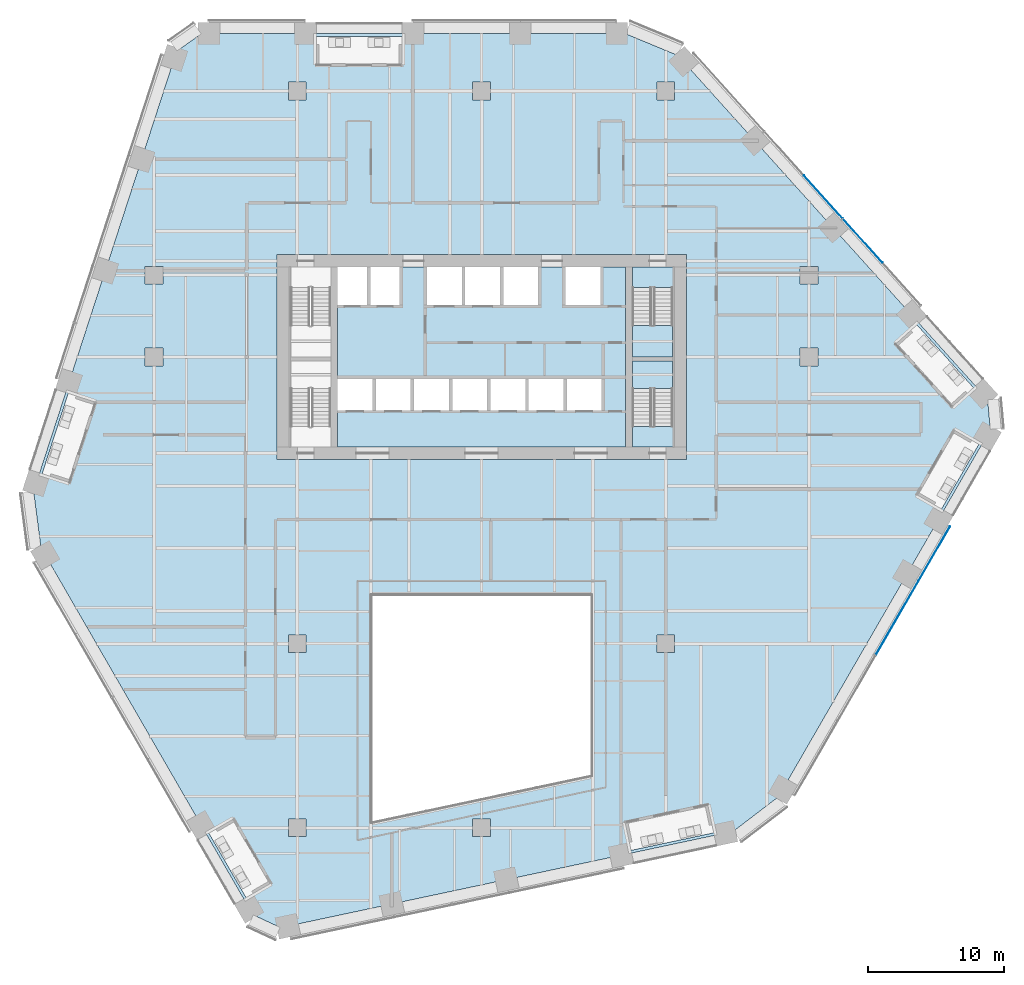
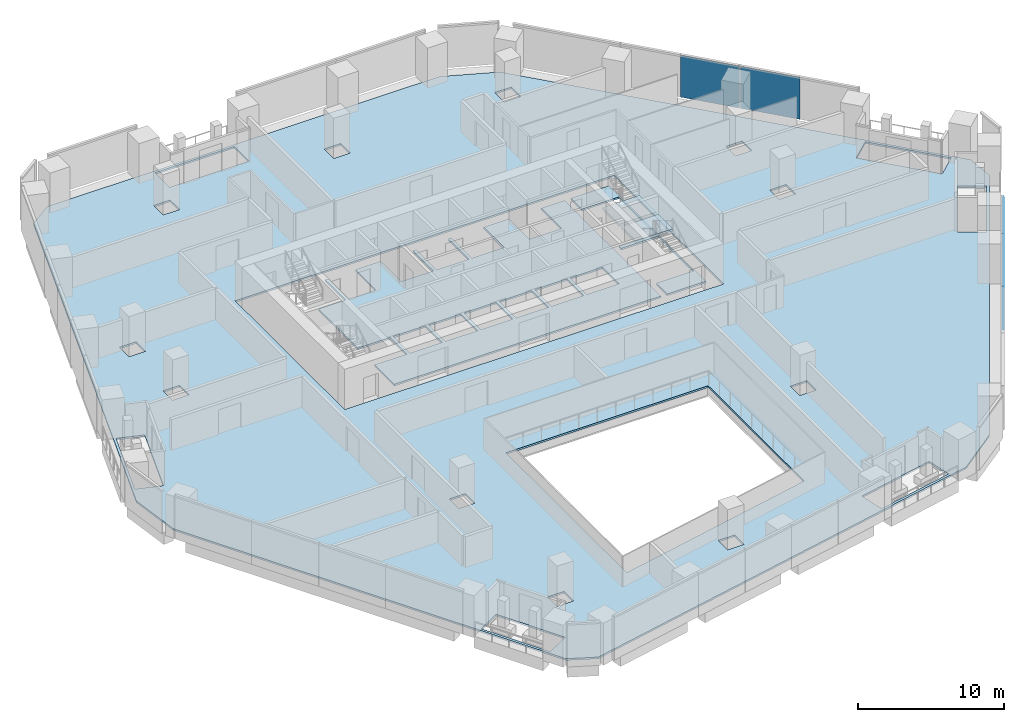
# One storey, part 20 of 31: 5 slabs, 4 plates, 4 elements without a shape of their own.
"""IFC4 building model written with IfcOpenShell, lengths in metres."""

from ifc_helpers import new_model, si_unit, direction, frame, origin, origin_2d, place, context, subcontext, project, spatial, polyline, rectangle, outline, extrude, material, layer, layer_set, type_object, element, aggregate, save


model = new_model("IFC4")

# Units and contexts
model_context = context("Model", 3, precision=1e-05, world=origin(), true_north=direction((0.0, 1.0)))
body_context = subcontext(model_context, "Body", "Model", "MODEL_VIEW")
ifc_project = project(units=[si_unit("LENGTHUNIT", "METRE"), si_unit("AREAUNIT", "SQUARE_METRE"), si_unit("VOLUMEUNIT", "CUBIC_METRE"), si_unit("PLANEANGLEUNIT", "RADIAN"), si_unit("MASSUNIT", "GRAM", prefix="KILO")], contexts=[model_context])

# Site, building, storey
site_placement = place(None, origin())
site = spatial("IfcSite", under=ifc_project, at=site_placement, CompositionType="ELEMENT")
building_placement = place(site_placement, origin())
building = spatial("IfcBuilding", under=site, at=building_placement, Name="Isthmus Gate Tower", CompositionType="ELEMENT")
storey_placement = place(building_placement, frame((0.0, 0.0, 113.5)))
storey = spatial("IfcBuildingStorey", under=building, at=storey_placement, Name="L27", CompositionType="ELEMENT", Elevation=113.5)

# Slabs
ifc_material_1 = material(Name="Concrete f'c 40 MPa", Category="concrete")
ifc_layer_1 = layer(ifc_material_1, 0.14990234375)
ifc_layer_set_1 = layer_set([ifc_layer_1], Name="COMPOSITE FLOOR SLAB 150")
slab_type_1 = type_object("IfcSlabType", Name="COMPOSITE FLOOR SLAB 150", PredefinedType="FLOOR", material=ifc_layer_set_1)
slab_1_placement = place(storey_placement, frame((0.0, 0.0, -0.14990234375)))
element("IfcSlab", 1, at=slab_1_placement, inside=storey, type_object=slab_type_1, Name="str-slab-L27-1", PredefinedType="FLOOR", context=body_context, shape_type="SweptSolid", body=[
    extrude(outline(polyline([(14.391357421875, 29.599365234375), (37.081787109375, 4.399169921875), (37.281494140625, 2.17333984375), (21.748779296875, -24.729736328125), (18.438232421875, -27.262939453125), (-14.73095703125, -34.313232421875), (-16.758544921875, -33.373291015625), (-32.291015625, -6.47021484375), (-32.82958984375, -2.33642578125), (-22.3505859375, 29.9140625), (-20.52294921875, 31.199951171875), (10.542236328125, 31.199951171875), (14.391357421875, 29.599365234375)]), holes=[polyline([(-17.2587890625, -32.107177734375), (-15.526611328125, -31.107177734375), (-18.248291015625, -26.392822265625), (-19.98046875, -27.392822265625), (-17.2587890625, -32.107177734375)]), polyline([(-14.14990234375, -26.35009765625), (-14.14990234375, -27.64990234375), (-12.85009765625, -27.64990234375), (-12.85009765625, -26.35009765625), (-14.14990234375, -26.35009765625)]), polyline([(-0.64990234375, -26.35009765625), (-0.64990234375, -27.64990234375), (0.64990234375, -27.64990234375), (0.64990234375, -26.35009765625), (-0.64990234375, -26.35009765625)]), polyline([(8.0, -23.143310546875), (8.0, -10.0), (-8.0, -10.0), (-8.0, -26.544189453125), (8.0, -23.143310546875)]), polyline([(-14.14990234375, -12.85009765625), (-14.14990234375, -14.14990234375), (-12.85009765625, -14.14990234375), (-12.85009765625, -12.85009765625), (-14.14990234375, -12.85009765625)]), polyline([(-32.20068359375, -1.048095703125), (-30.298583984375, -1.666259765625), (-28.385986328125, 4.22021484375), (-30.2880859375, 4.838134765625), (-32.20068359375, -1.048095703125)]), polyline([(-23.35009765625, 8.14990234375), (-24.64990234375, 8.14990234375), (-24.64990234375, 6.85009765625), (-23.35009765625, 6.85009765625), (-23.35009765625, 8.14990234375)]), polyline([(-23.35009765625, 12.85009765625), (-23.35009765625, 14.14990234375), (-24.64990234375, 14.14990234375), (-24.64990234375, 12.85009765625), (-23.35009765625, 12.85009765625)]), polyline([(-12.85009765625, 27.64990234375), (-14.14990234375, 27.64990234375), (-14.14990234375, 26.35009765625), (-12.85009765625, 26.35009765625), (-12.85009765625, 27.64990234375)]), polyline([(-12.106689453125, 31.0), (-12.106689453125, 29.0), (-5.837158203125, 29.0), (-5.837158203125, 31.0), (-12.106689453125, 31.0)]), polyline([(17.008056640625, -27.362548828125), (16.59228515625, -25.40625), (10.5380859375, -26.693115234375), (10.9541015625, -28.6494140625), (17.008056640625, -27.362548828125)]), polyline([(14.14990234375, -12.85009765625), (12.85009765625, -12.85009765625), (12.85009765625, -14.14990234375), (14.14990234375, -14.14990234375), (14.14990234375, -12.85009765625)]), polyline([(33.7001953125, -3.629638671875), (36.434814453125, 1.107177734375), (34.702880859375, 2.107177734375), (31.968017578125, -2.629638671875), (33.7001953125, -3.629638671875)]), polyline([(36.041015625, 5.256103515625), (31.8994140625, 9.855712890625), (30.4130859375, 8.517578125), (34.5546875, 3.91796875), (36.041015625, 5.256103515625)]), polyline([(15.0, 15.0), (-15.0, 15.0), (-15.0, 0.0), (15.0, 0.0), (15.0, 15.0)]), polyline([(24.64990234375, 8.14990234375), (23.35009765625, 8.14990234375), (23.35009765625, 6.85009765625), (24.64990234375, 6.85009765625), (24.64990234375, 8.14990234375)]), polyline([(23.35009765625, 14.14990234375), (23.35009765625, 12.85009765625), (24.64990234375, 12.85009765625), (24.64990234375, 14.14990234375), (23.35009765625, 14.14990234375)]), polyline([(0.64990234375, 26.35009765625), (0.64990234375, 27.64990234375), (-0.64990234375, 27.64990234375), (-0.64990234375, 26.35009765625), (0.64990234375, 26.35009765625)]), polyline([(14.14990234375, 26.35009765625), (14.14990234375, 27.64990234375), (12.85009765625, 27.64990234375), (12.85009765625, 26.35009765625), (14.14990234375, 26.35009765625)])]), origin(), (0.0, 0.0, 1.0), 0.14990234375),
])
ifc_material_2 = material(Name="Concrete f'c 40 MPa", Category="concrete")
ifc_layer_2 = layer(ifc_material_2, 0.14990234375)
ifc_layer_set_2 = layer_set([ifc_layer_2], Name="CORE FLOOR SLAB 150")
slab_type_2 = type_object("IfcSlabType", Name="CORE FLOOR SLAB 150", PredefinedType="FLOOR", material=ifc_layer_set_2)
slab_2_placement = place(storey_placement, frame((0.0, 0.0, -0.14990234375)))
element("IfcSlab", 2, at=slab_2_placement, inside=storey, type_object=slab_type_2, Name="L27 core floor", PredefinedType="FLOOR", context=body_context, shape_type="SweptSolid", body=[
    extrude(outline(polyline([(10.550048828125, 14.10009765625), (8.699951171875, 14.10009765625), (8.699951171875, 11.300048828125), (6.14990234375, 11.300048828125), (6.14990234375, 14.10009765625), (4.14990234375, 14.10009765625), (4.14990234375, 11.300048828125), (1.60009765625, 11.300048828125), (1.60009765625, 14.10009765625), (1.35009765625, 14.10009765625), (1.35009765625, 11.300048828125), (-1.199951171875, 11.300048828125), (-1.199951171875, 14.10009765625), (-1.449951171875, 14.10009765625), (-1.449951171875, 11.300048828125), (-4.0, 11.300048828125), (-4.0, 14.10009765625), (-6.0, 14.10009765625), (-6.0, 11.300048828125), (-8.14990234375, 11.300048828125), (-8.14990234375, 14.10009765625), (-8.39990234375, 14.10009765625), (-8.39990234375, 11.300048828125), (-10.550048828125, 11.300048828125), (-10.550048828125, 5.89990234375), (-8.0, 5.89990234375), (-8.0, 3.60009765625), (-10.550048828125, 3.60009765625), (-10.550048828125, 0.89990234375), (10.550048828125, 0.89990234375), (10.550048828125, 14.10009765625)]), holes=[polyline([(-5.199951171875, 5.89990234375), (-5.199951171875, 3.60009765625), (-7.75, 3.60009765625), (-7.75, 5.89990234375), (-5.199951171875, 5.89990234375)]), polyline([(-2.39990234375, 5.89990234375), (-2.39990234375, 3.60009765625), (-4.949951171875, 3.60009765625), (-4.949951171875, 5.89990234375), (-2.39990234375, 5.89990234375)]), polyline([(0.39990234375, 5.89990234375), (0.39990234375, 3.60009765625), (-2.14990234375, 3.60009765625), (-2.14990234375, 5.89990234375), (0.39990234375, 5.89990234375)]), polyline([(3.199951171875, 5.89990234375), (3.199951171875, 3.60009765625), (0.64990234375, 3.60009765625), (0.64990234375, 5.89990234375), (3.199951171875, 5.89990234375)]), polyline([(6.0, 5.89990234375), (6.0, 3.60009765625), (3.449951171875, 3.60009765625), (3.449951171875, 5.89990234375), (6.0, 5.89990234375)]), polyline([(8.800048828125, 5.89990234375), (8.800048828125, 3.60009765625), (6.25, 3.60009765625), (6.25, 5.89990234375), (8.800048828125, 5.89990234375)])]), origin(), (0.0, 0.0, 1.0), 0.14990234375),
])
slab_3_placement = place(storey_placement, frame((0.0, 0.0, -0.14990234375)))
element("IfcSlab", 3, at=slab_3_placement, inside=storey, type_object=slab_type_2, Name="L27 core floor", PredefinedType="FLOOR", context=body_context, shape_type="SweptSolid", body=[
    extrude(outline(polyline([(11.050048828125, 14.10009765625), (11.050048828125, 12.597900390625), (14.0, 12.597900390625), (14.0, 7.5), (11.050048828125, 7.5), (11.050048828125, 7.199951171875), (14.0, 7.199951171875), (14.0, 2.402099609375), (11.050048828125, 2.402099609375), (11.050048828125, 0.89990234375), (14.10009765625, 0.89990234375), (14.10009765625, 14.10009765625), (11.050048828125, 14.10009765625)])), origin(), (0.0, 0.0, 1.0), 0.14990234375),
])

# Curtain wall, plates
ifc_material_3 = material(Name="Aluminium, pale champagne anodised", Category="aluminium")
ifc_layer_3 = layer(ifc_material_3, 0.199951171875)
ifc_layer_set_3 = layer_set([ifc_layer_3], Name="CW-1 UNITISED CURTAIN WALL 200 DEEP")
curtain_wall_type = type_object("IfcCurtainWallType", Name="CW-1 UNITISED CURTAIN WALL 200 DEEP", PredefinedType="NOTDEFINED", material=ifc_layer_set_3)
curtain_wall_1_placement = place(storey_placement, origin())
curtain_wall_1 = element("IfcCurtainWall", 4, at=curtain_wall_1_placement, inside=storey, type_object=curtain_wall_type, Name="CW-1 SE L27", PredefinedType="NOTDEFINED")
ifc_material_4 = material(Name="Laminated low-iron glass, pale blue tint", Category="glass")
ifc_layer_4 = layer(ifc_material_4, 0.0400390625)
ifc_layer_set_4 = layer_set([ifc_layer_4], Name="CW-1 CLEAR GLASS LITE 40")
plate_type = type_object("IfcPlateType", Name="CW-1 CLEAR GLASS LITE 40", PredefinedType="CURTAIN_PANEL", material=ifc_layer_set_4)
plate_1_placement = place(storey_placement, frame((30.4560546875, -11.608642578125, 0.0), z_axis=(0.0, 0.0, 1.0), x_axis=(0.5, 0.866025403784, 0.0)))
plate_1 = element("IfcPlate", 5, at=plate_1_placement, type_object=plate_type, Name="CW-1 glass lite", PredefinedType="CURTAIN_PANEL", context=body_context, shape_type="SweptSolid", body=[
    extrude(rectangle(XDim=6.278564453125, YDim=0.0400390625, at=origin_2d()), origin(), (0.0, 0.0, 1.0), 3.5),
])
plate_2_placement = place(storey_placement, frame((33.173828125, -6.901123046875, 0.0), z_axis=(0.0, 0.0, 1.0), x_axis=(0.5, 0.866025403784, 0.0)))
plate_2 = element("IfcPlate", 6, at=plate_2_placement, type_object=plate_type, Name="CW-1 glass lite", PredefinedType="CURTAIN_PANEL", context=body_context, shape_type="SweptSolid", body=[
    extrude(rectangle(XDim=4.5927734375, YDim=0.0400390625, at=origin_2d()), origin(), (0.0, 0.0, 1.0), 3.5),
])
aggregate(curtain_wall_1, [plate_1, plate_2])

curtain_wall_2_placement = place(storey_placement, origin())
curtain_wall_2 = element("IfcCurtainWall", 7, at=curtain_wall_2_placement, inside=storey, type_object=curtain_wall_type, Name="CW-1 NE L27", PredefinedType="NOTDEFINED")
plate_3_placement = place(storey_placement, frame((27.930419921875, 16.02734375, 0.0), z_axis=(0.0, 0.0, 1.0), x_axis=(-0.669130606359, 0.743144825477, 0.0)))
plate_3 = element("IfcPlate", 8, at=plate_3_placement, type_object=plate_type, Name="CW-1 glass lite", PredefinedType="CURTAIN_PANEL", context=body_context, shape_type="SweptSolid", body=[
    extrude(rectangle(XDim=4.294677734375, YDim=0.0400390625, at=origin_2d()), origin(), (0.0, 0.0, 1.0), 3.5),
])
plate_4_placement = place(storey_placement, frame((25.03662109375, 19.2412109375, 0.0), z_axis=(0.0, 0.0, 1.0), x_axis=(-0.669130606359, 0.743144825477, 0.0)))
plate_4 = element("IfcPlate", 9, at=plate_4_placement, type_object=plate_type, Name="CW-1 glass lite", PredefinedType="CURTAIN_PANEL", context=body_context, shape_type="SweptSolid", body=[
    extrude(rectangle(XDim=4.234619140625, YDim=0.0400390625, at=origin_2d()), origin(), (0.0, 0.0, 1.0), 3.5),
])
aggregate(curtain_wall_2, [plate_3, plate_4])

# Stair, slab
ifc_material_5 = material(Name="Concrete f'c 40 MPa", Category="concrete")
stair_type = type_object("IfcStairType", Name="CORE STAIR 22 RISERS", PredefinedType="HALF_TURN_STAIR", material=ifc_material_5)
stair_1_placement = place(storey_placement, origin())
stair_1 = element("IfcStair", 10, at=stair_1_placement, inside=storey, type_object=stair_type, Name="L27 Exit Stair 2", PredefinedType="HALF_TURN_STAIR")
ifc_material_6 = material(Name="Concrete f'c 40 MPa", Category="concrete")
ifc_layer_5 = layer(ifc_material_6, 0.199951171875)
ifc_layer_set_5 = layer_set([ifc_layer_5])
slab_type_3 = type_object("IfcSlabType", Name="STAIR LANDING RC 200", PredefinedType="LANDING", material=ifc_layer_set_5)
slab_4_placement = place(storey_placement, frame((0.0, 0.0, 1.625)))
slab_4 = element("IfcSlab", 11, at=slab_4_placement, type_object=slab_type_3, Name="ST2 landing 1", PredefinedType="LANDING", context=body_context, shape_type="SweptSolid", body=[
    extrude(outline(polyline([(11.050048828125, 9.800048828125), (11.050048828125, 7.5), (14.0, 7.5), (14.0, 9.800048828125), (11.050048828125, 9.800048828125)])), origin(), (0.0, 0.0, 1.0), 0.199951171875),
])
aggregate(stair_1, [slab_4])

stair_2_placement = place(storey_placement, origin())
stair_2 = element("IfcStair", 12, at=stair_2_placement, inside=storey, type_object=stair_type, Name="L27 Exit Stair 8", PredefinedType="HALF_TURN_STAIR")
slab_5_placement = place(storey_placement, frame((0.0, 0.0, 1.625)))
slab_5 = element("IfcSlab", 13, at=slab_5_placement, type_object=slab_type_3, Name="ST8 landing 1", PredefinedType="LANDING", context=body_context, shape_type="SweptSolid", body=[
    extrude(outline(polyline([(14.0, 5.199951171875), (14.0, 7.199951171875), (11.050048828125, 7.199951171875), (11.050048828125, 5.199951171875), (14.0, 5.199951171875)])), origin(), (0.0, 0.0, 1.0), 0.199951171875),
])
aggregate(stair_2, [slab_5])

save(model, "model.ifc")
